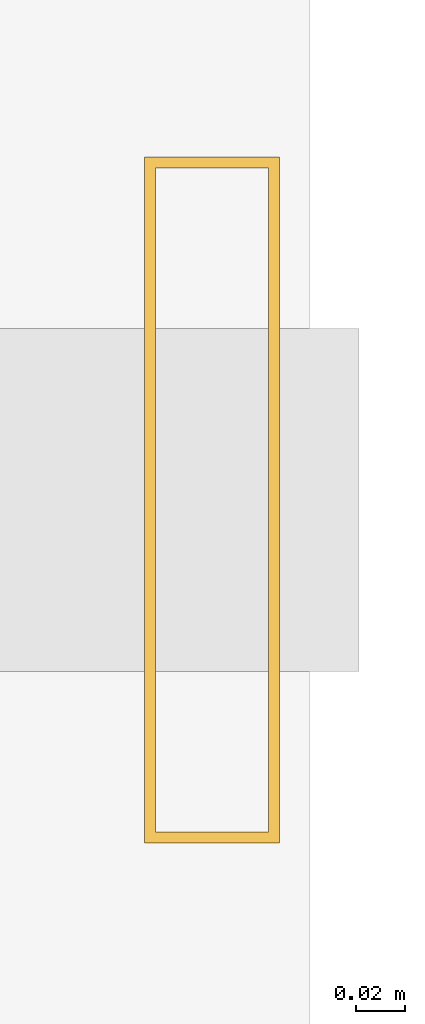
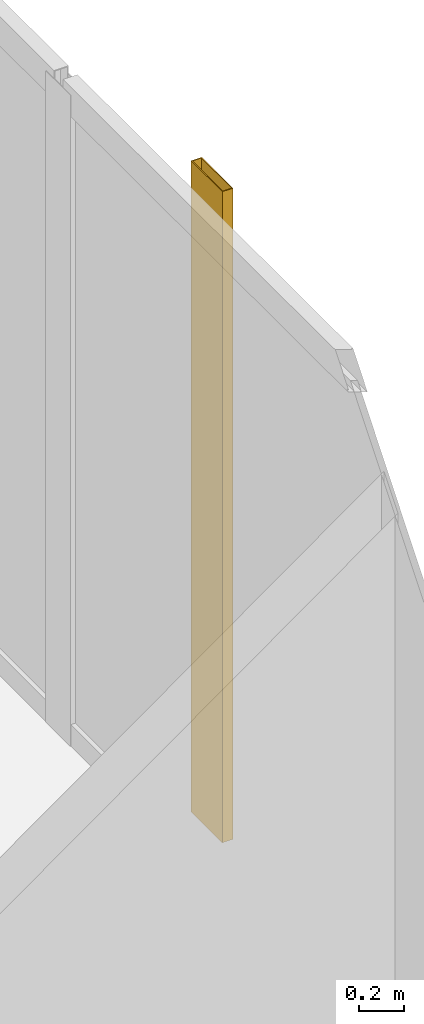
# One storey, part 23 of 23: 1 shading device.
"""IFC4 building model written with IfcOpenShell, lengths in metres."""

from ifc_helpers import new_model, si_unit, direction, frame, origin, origin_2d, place, context, subcontext, project, spatial, hollow_rectangle, extrude, material, material_profile, profile_set, type_object, element, save


model = new_model("IFC4")

# Units and contexts
model_context = context("Model", 3, precision=1e-05, world=origin(), true_north=direction((0.0, 1.0)))
body_context = subcontext(model_context, "Body", "Model", "MODEL_VIEW")
ifc_project = project(units=[si_unit("LENGTHUNIT", "METRE"), si_unit("AREAUNIT", "SQUARE_METRE"), si_unit("VOLUMEUNIT", "CUBIC_METRE"), si_unit("PLANEANGLEUNIT", "RADIAN"), si_unit("MASSUNIT", "GRAM", prefix="KILO")], contexts=[model_context])

# Site, building, storey
site_placement = place(None, origin())
site = spatial("IfcSite", under=ifc_project, at=site_placement, CompositionType="ELEMENT")
building_placement = place(site_placement, origin())
building = spatial("IfcBuilding", under=site, at=building_placement, Name="Kolvaren Waterfront Exchange", CompositionType="ELEMENT")
storey_placement = place(building_placement, frame((0.0, 0.0, 215.89990234375)))
storey = spatial("IfcBuildingStorey", under=building, at=storey_placement, Name="L55", CompositionType="ELEMENT", Elevation=215.89990234375)

# Shading device
ifc_material = material(Name="Anodised bronze aluminium 6063-T6", Category="aluminium")
ifc_material_profile = material_profile(ifc_material, hollow_rectangle(XDim=0.054931640625, YDim=0.280029296875, WallThickness=0.00439453125, at=origin_2d()), Name="BRZ-FIN-280x55x4.5")
ifc_profile_set = profile_set([ifc_material_profile], Name="Anodised bronze aluminium 6063-T6")
shading_device_type = type_object("IfcShadingDeviceType", Name="ARC-FIN-280", PredefinedType="USERDEFINED", material=ifc_profile_set)
shading_device_placement = place(storey_placement, frame((21.360107421875, 38.800048828125, 0.0), z_axis=(0.0, 0.0, 1.0), x_axis=(1.0, 0.0, 0.0)))
element("IfcShadingDevice", 1, at=shading_device_placement, inside=storey, type_object=shading_device_type, Name="L55 anodised bronze solar shading fin FIN-L55-E3", ObjectType="SOLAR FIN", PredefinedType="USERDEFINED", context=body_context, shape_type="SweptSolid", body=[
    extrude(hollow_rectangle(XDim=0.054931640625, YDim=0.280029296875, WallThickness=0.00439453125, at=origin_2d()), origin(), (0.0, 0.0, 1.0), 3.56005859375),
])

save(model, "model.ifc")
